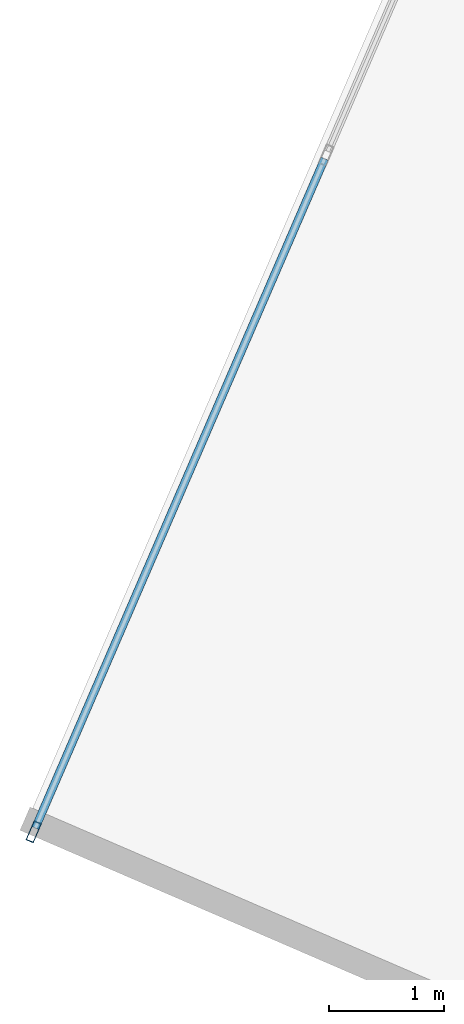
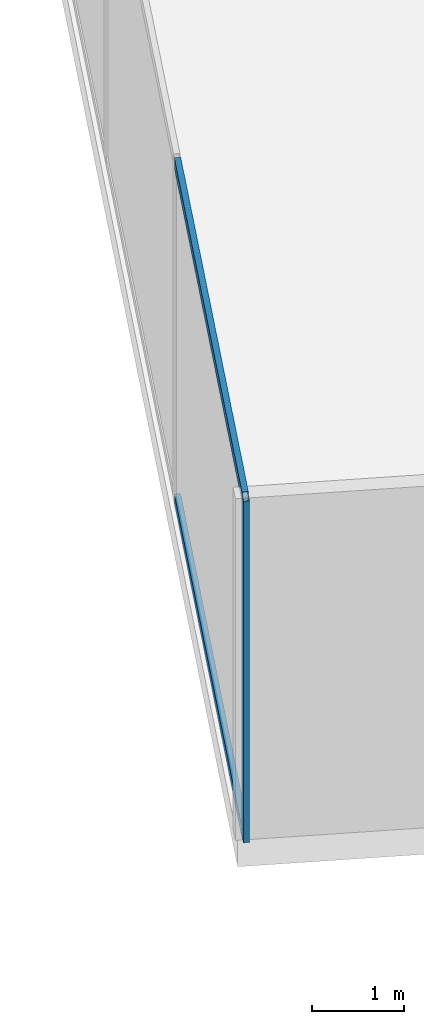
# One storey, part 5 of 24: 3 members, 1 element without a shape of its own.
"""IFC4 building model written with IfcOpenShell, lengths in metres."""

from ifc_helpers import new_model, si_unit, direction, frame, origin, origin_2d, place, context, subcontext, project, spatial, hollow_rectangle, extrude, source, transform, mapped, material, material_profile, profile_set, type_object, type_shapes, element, aggregate, save


model = new_model("IFC4")

# Units and contexts
model_context = context("Model", 3, precision=1e-05, world=origin(), true_north=direction((0.0, 1.0)))
body_context = subcontext(model_context, "Body", "Model", "MODEL_VIEW")
ifc_project = project(units=[si_unit("LENGTHUNIT", "METRE"), si_unit("AREAUNIT", "SQUARE_METRE"), si_unit("VOLUMEUNIT", "CUBIC_METRE"), si_unit("PLANEANGLEUNIT", "RADIAN"), si_unit("MASSUNIT", "GRAM", prefix="KILO")], contexts=[model_context])

# Site, building, storey
site_placement = place(None, origin())
site = spatial("IfcSite", under=ifc_project, at=site_placement, CompositionType="ELEMENT")
building_placement = place(site_placement, origin())
building = spatial("IfcBuilding", under=site, at=building_placement, Name="Krantzveldt Concourse Tower", CompositionType="ELEMENT")
storey_placement = place(building_placement, frame((0.0, 0.0, 141.39990234375)))
storey = spatial("IfcBuildingStorey", under=building, at=storey_placement, Name="L34", CompositionType="ELEMENT", Elevation=141.39990234375)

# Curtain wall, members
ifc_material = material(Name="Anodised aluminium 6063-T6", Category="aluminium")
curtain_wall_type = type_object("IfcCurtainWallType", Name="CW5", PredefinedType="USERDEFINED", material=ifc_material)
curtain_wall_placement = place(storey_placement, origin())
curtain_wall = element("IfcCurtainWall", 1, at=curtain_wall_placement, inside=storey, type_object=curtain_wall_type, Name="CW-L34-F01", ObjectType="UNITISED CURTAIN WALL", PredefinedType="USERDEFINED")
ifc_material_profile_1 = material_profile(ifc_material, hollow_rectangle(XDim=0.070068359375, YDim=0.139892578125, WallThickness=0.0048828125, at=origin_2d()), Name="Anodised aluminium 6063-T6", Category="aluminium")
ifc_profile_set_1 = profile_set([ifc_material_profile_1], Name="Anodised aluminium 6063-T6 - ALU-TRAN 140x70x5")
member_type_1 = type_object("IfcMemberType", Name="CW-TRN-150", PredefinedType="USERDEFINED", material=ifc_profile_set_1)
shared_shape_1 = source(origin(), body_context, "Body", "SweptSolid", [
    extrude(hollow_rectangle(XDim=0.070068359375, YDim=0.139892578125, WallThickness=0.0048828125, at=origin_2d()), origin(), (0.0, 0.0, 1.0), 6.361572265625),
])
type_shapes(member_type_1, [shared_shape_1])
member_1_placement = place(storey_placement, frame((9.4580078125, 24.044189453125, 0.03515625), z_axis=(-0.396738129747, -0.91793183647, 0.0), x_axis=(0.91793183647, -0.396738129747, 0.0)))
member_1 = element("IfcMember", 2, at=member_1_placement, type_object=member_type_1, Name="CW-SKY transom 6.1", ObjectType="TRANSOM", PredefinedType="USERDEFINED", context=body_context, shape_type="MappedRepresentation", body=[
    mapped(shared_shape_1, transform((0.0, 0.0, 0.0), x_axis=(1.0, 0.0, 0.0), y_axis=(0.0, 1.0, 0.0), z_axis=(0.0, 0.0, 1.0), scale=1.0)),
])
member_2_placement = place(storey_placement, frame((9.4580078125, 24.044189453125, 4.485107421875), z_axis=(-0.396738129747, -0.91793183647, 0.0), x_axis=(0.91793183647, -0.396738129747, 0.0)))
member_2 = element("IfcMember", 3, at=member_2_placement, type_object=member_type_1, Name="CW-SKY transom 6.2", ObjectType="TRANSOM", PredefinedType="USERDEFINED", context=body_context, shape_type="MappedRepresentation", body=[
    mapped(shared_shape_1, transform((0.0, 0.0, 0.0), x_axis=(1.0, 0.0, 0.0), y_axis=(0.0, 1.0, 0.0), z_axis=(0.0, 0.0, 1.0), scale=1.0)),
])
ifc_material_profile_2 = material_profile(ifc_material, hollow_rectangle(XDim=0.070068359375, YDim=0.179931640625, WallThickness=0.0048828125, at=origin_2d()), Name="Anodised aluminium 6063-T6", Category="aluminium")
ifc_profile_set_2 = profile_set([ifc_material_profile_2], Name="Anodised aluminium 6063-T6 - ALU-MULL 180x70x5")
member_type_2 = type_object("IfcMemberType", Name="CW-MUL-180", PredefinedType="MULLION", material=ifc_profile_set_2)
shared_shape_2 = source(origin(), body_context, "Body", "SweptSolid", [
    extrude(hollow_rectangle(XDim=0.070068359375, YDim=0.179931640625, WallThickness=0.0048828125, at=origin_2d()), origin(), (0.0, 0.0, 1.0), 4.52001953125),
])
type_shapes(member_type_2, [shared_shape_2])
member_3_placement = place(storey_placement, frame((6.920166015625, 18.172607421875, 0.0), z_axis=(0.0, 0.0, 1.0), x_axis=(0.917927822306, -0.396747417177, 0.0)))
member_3 = element("IfcMember", 4, at=member_3_placement, type_object=member_type_2, Name="CW-SKY mullion 7", PredefinedType="MULLION", context=body_context, shape_type="MappedRepresentation", body=[
    mapped(shared_shape_2, transform((0.0, 0.0, 0.0), x_axis=(1.0, 0.0, 0.0), y_axis=(0.0, 1.0, 0.0), z_axis=(0.0, 0.0, 1.0), scale=1.0)),
])
aggregate(curtain_wall, [member_3, member_1, member_2])

save(model, "model.ifc")
